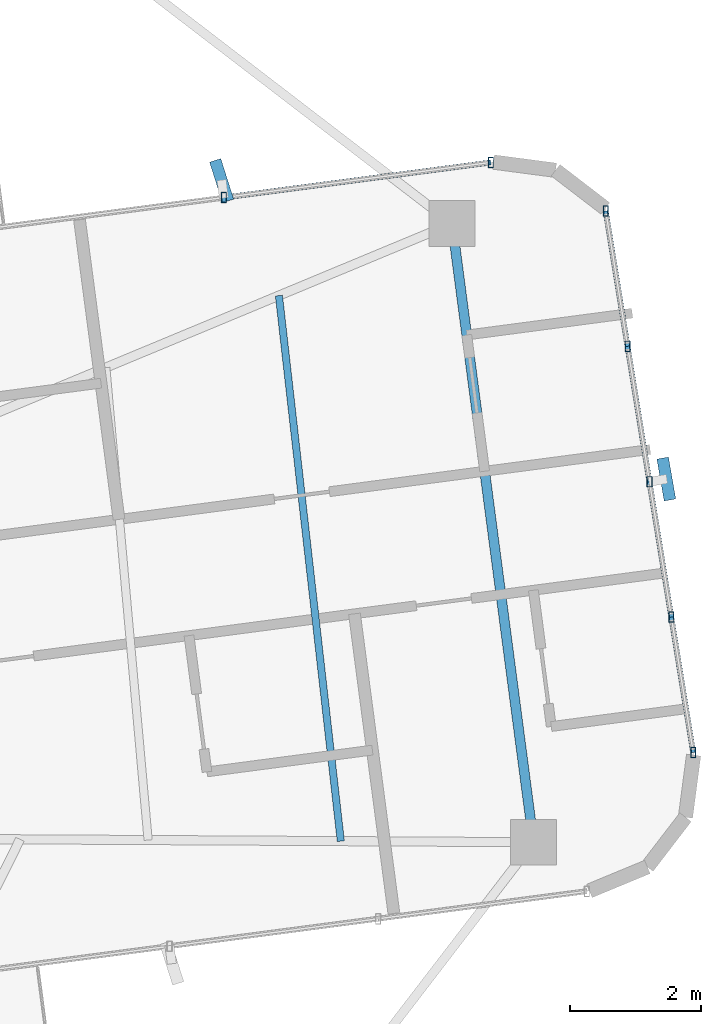
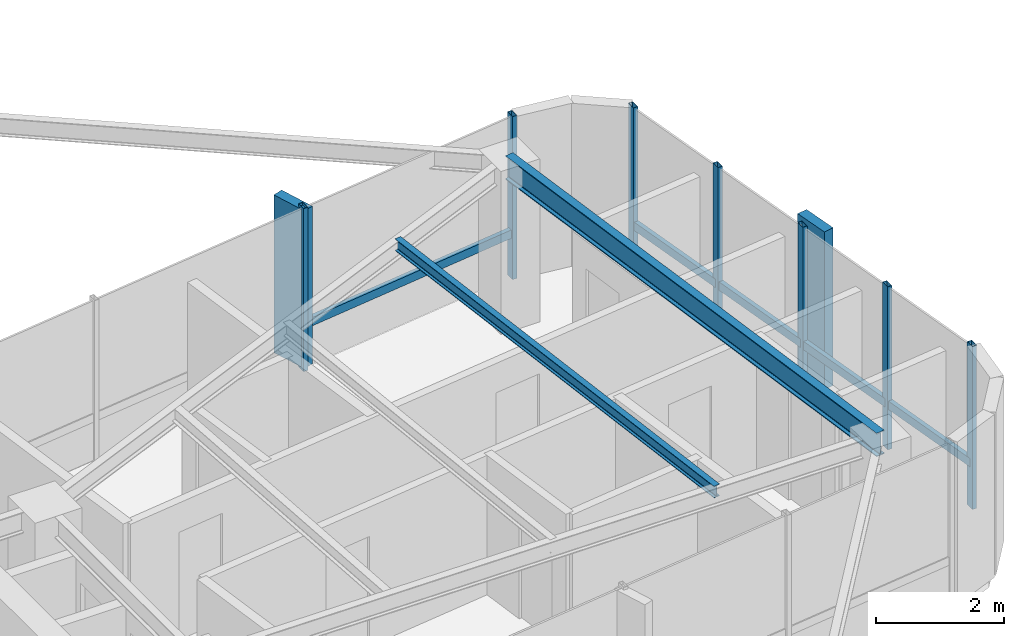
# One storey, part 13 of 22: 14 members, 2 beams, 2 elements without a shape of their own.
"""IFC4 building model written with IfcOpenShell, lengths in metres."""

from ifc_helpers import new_model, si_unit, direction, frame, origin, origin_2d, place, context, subcontext, project, spatial, rectangle, hollow_rectangle, i_section, extrude, source, transform, mapped, material, material_profile, profile_set, type_object, element, aggregate, save


model = new_model("IFC4")

# Units and contexts
model_context = context("Model", 3, precision=1e-05, world=origin(), true_north=direction((0.0, 1.0)))
body_context = subcontext(model_context, "Body", "Model", "MODEL_VIEW")
ifc_project = project(units=[si_unit("LENGTHUNIT", "METRE"), si_unit("AREAUNIT", "SQUARE_METRE"), si_unit("VOLUMEUNIT", "CUBIC_METRE"), si_unit("PLANEANGLEUNIT", "RADIAN"), si_unit("MASSUNIT", "GRAM", prefix="KILO")], contexts=[model_context])

# Site, building, storey
site_placement = place(None, origin())
site = spatial("IfcSite", under=ifc_project, at=site_placement, CompositionType="ELEMENT")
building_placement = place(site_placement, origin())
building = spatial("IfcBuilding", under=site, at=building_placement, Name="Sahyath Konkavel Grand Hotel", CompositionType="ELEMENT")
storey_placement = place(building_placement, frame((0.0, 0.0, 244.5)))
storey = spatial("IfcBuildingStorey", under=building, at=storey_placement, Name="L68", CompositionType="ELEMENT", Elevation=244.5)

# Beams
ifc_material_1 = material(Name="Steel E350", Category="steel")
ifc_material_profile_1 = material_profile(ifc_material_1, i_section(OverallWidth=0.14990234375, OverallDepth=0.449951171875, WebThickness=0.009521484375, FlangeThickness=0.017333984375, FilletRadius=0.014892578125, at=origin_2d()), Name="ISMB 450")
ifc_profile_set_1 = profile_set([ifc_material_profile_1], Name="Steel E350")
beam_type_1 = type_object("IfcBeamType", Name="BM-ISMB450", PredefinedType="BEAM", material=ifc_profile_set_1)
shared_shape_1 = source(origin(), body_context, "Body", "SweptSolid", [
    extrude(i_section(OverallWidth=0.14990234375, OverallDepth=0.449951171875, WebThickness=0.009521484375, FlangeThickness=0.017333984375, FilletRadius=0.014892578125, at=origin_2d()), origin(), (0.0, 0.0, 1.0), 9.533935546875),
])
beam_1_placement = place(storey_placement, frame((17.767333984375, -2.468994140625, 2.885009765625), z_axis=(-0.130546587129, 0.99144217612, 0.0), x_axis=(-0.99144217612, -0.130546587129, 0.0)))
element("IfcBeam", 1, at=beam_1_placement, inside=storey, type_object=beam_type_1, Name="L68 Wing Tip Edge Beam E", PredefinedType="BEAM", context=body_context, shape_type="MappedRepresentation", body=[
    mapped(shared_shape_1, transform((0.0, 0.0, 0.0), scale=1.0)),
])
ifc_material_profile_2 = material_profile(ifc_material_1, i_section(OverallWidth=0.110107421875, OverallDepth=0.22509765625, WebThickness=0.006591796875, FlangeThickness=0.01171875, FilletRadius=0.011962890625, at=origin_2d()), Name="ISMB 225")
ifc_profile_set_2 = profile_set([ifc_material_profile_2], Name="Steel E350")
beam_type_2 = type_object("IfcBeamType", Name="BM-ISMB225", PredefinedType="BEAM", material=ifc_profile_set_2)
shared_shape_2 = source(origin(), body_context, "Body", "SweptSolid", [
    extrude(i_section(OverallWidth=0.110107421875, OverallDepth=0.22509765625, WebThickness=0.006591796875, FlangeThickness=0.01171875, FilletRadius=0.011962890625, at=origin_2d()), origin(), (0.0, 0.0, 1.0), 8.38916015625),
])
beam_2_placement = place(storey_placement, frame((14.822998046875, -2.452392578125, 2.99755859375), z_axis=(-0.112740566225, 0.9936244586, 0.0), x_axis=(-0.9936244586, -0.112740566225, 0.0)))
element("IfcBeam", 2, at=beam_2_placement, inside=storey, type_object=beam_type_2, Name="L68 Secondary Floor Beam E-3", PredefinedType="BEAM", context=body_context, shape_type="MappedRepresentation", body=[
    mapped(shared_shape_2, transform((0.0, 0.0, 0.0), scale=1.0)),
])

# Curtain wall, member
ifc_material_2 = material(Name="Anodised Bronze Aluminium & Low-E Glazing", Category="aluminium")
curtain_wall_type = type_object("IfcCurtainWallType", Name="CW-ZONE4", PredefinedType="NOTDEFINED", material=ifc_material_2)
curtain_wall_1_placement = place(storey_placement, origin())
curtain_wall_1 = element("IfcCurtainWall", 3, at=curtain_wall_1_placement, inside=storey, type_object=curtain_wall_type, Name="L68 Unitised Curtain Wall F4", PredefinedType="NOTDEFINED")
ifc_material_3 = material(Name="Warm Buff Sandstone Cladding on Concrete C50/60", Category="masonry")
ifc_material_profile_3 = material_profile(ifc_material_3, rectangle(XDim=0.179931640625, YDim=0.64990234375, at=origin_2d()), Name="FIN 180x650")
ifc_profile_set_3 = profile_set([ifc_material_profile_3], Name="Warm Buff Sandstone Cladding on Concrete C50/60")
member_type_1 = type_object("IfcMemberType", Name="FIN-SANDSTONE-650", PredefinedType="MULLION", material=ifc_profile_set_3)
shared_shape_3 = source(origin(), body_context, "Body", "SweptSolid", [
    extrude(rectangle(XDim=0.179931640625, YDim=0.64990234375, at=origin_2d()), origin(), (0.0, 0.0, 1.0), 3.010009765625),
])
member_1_placement = place(storey_placement, frame((19.79638671875, 3.080322265625, 0.050048828125), z_axis=(0.0, 0.0, 1.0), x_axis=(0.985169280715, 0.171585221787, 0.0)))
member_1 = element("IfcMember", 4, at=member_1_placement, type_object=member_type_1, Name="L68 Sandstone Vertical Solar Fin FIN F4-2", PredefinedType="MULLION", context=body_context, shape_type="MappedRepresentation", body=[
    mapped(shared_shape_3, transform((0.0, 0.0, 0.0), scale=1.0)),
])

curtain_wall_2_placement = place(storey_placement, origin())
curtain_wall_2 = element("IfcCurtainWall", 5, at=curtain_wall_2_placement, inside=storey, type_object=curtain_wall_type, Name="L68 Unitised Curtain Wall F7", PredefinedType="NOTDEFINED")
member_2_placement = place(storey_placement, frame((13.001708984375, 7.639404296875, 0.050048828125), z_axis=(0.0, 0.0, 1.0), x_axis=(0.953032216634, 0.302868938746, 0.0)))
member_2 = element("IfcMember", 6, at=member_2_placement, type_object=member_type_1, Name="L68 Sandstone Vertical Solar Fin FIN F7-1", PredefinedType="MULLION", context=body_context, shape_type="MappedRepresentation", body=[
    mapped(shared_shape_3, transform((0.0, 0.0, 0.0), scale=1.0)),
])

# Member
ifc_material_4 = material(Name="Anodised Bronze Aluminium", Category="aluminium")
ifc_material_profile_4 = material_profile(ifc_material_4, hollow_rectangle(XDim=0.080078125, YDim=0.159912109375, WallThickness=0.006103515625, at=origin_2d()), Name="RHS 160x80x6")
ifc_profile_set_4 = profile_set([ifc_material_profile_4], Name="Anodised Bronze Aluminium")
member_type_2 = type_object("IfcMemberType", Name="CW-MUL-160", PredefinedType="MULLION", material=ifc_profile_set_4)
shared_shape_4 = source(origin(), body_context, "Body", "SweptSolid", [
    extrude(hollow_rectangle(XDim=0.080078125, YDim=0.159912109375, WallThickness=0.006103515625, at=origin_2d()), origin(), (0.0, 0.0, 1.0), 3.110107421875),
])
member_3_placement = place(storey_placement, frame((20.2080078125, -1.0986328125, 0.0), z_axis=(0.0, 0.0, 1.0), x_axis=(1.0, 0.0, 0.0)))
member_3 = element("IfcMember", 7, at=member_3_placement, type_object=member_type_2, Name="L68 Curtain Wall Mullion F4-0", PredefinedType="MULLION", context=body_context, shape_type="MappedRepresentation", body=[
    mapped(shared_shape_4, transform((0.0, 0.0, 0.0), scale=1.0)),
])

member_4_placement = place(storey_placement, frame((19.873779296875, 0.97021484375, 0.0), z_axis=(0.0, 0.0, 1.0), x_axis=(1.0, 0.0, 0.0)))
member_4 = element("IfcMember", 8, at=member_4_placement, type_object=member_type_2, Name="L68 Curtain Wall Mullion F4-1", PredefinedType="MULLION", context=body_context, shape_type="MappedRepresentation", body=[
    mapped(shared_shape_4, transform((0.0, 0.0, 0.0), scale=1.0)),
])

member_5_placement = place(storey_placement, frame((19.53955078125, 3.038818359375, 0.0), z_axis=(0.0, 0.0, 1.0), x_axis=(1.0, 0.0, 0.0)))
member_5 = element("IfcMember", 9, at=member_5_placement, type_object=member_type_2, Name="L68 Curtain Wall Mullion F4-2", PredefinedType="MULLION", context=body_context, shape_type="MappedRepresentation", body=[
    mapped(shared_shape_4, transform((0.0, 0.0, 0.0), scale=1.0)),
])

member_6_placement = place(storey_placement, frame((19.205322265625, 5.10791015625, 0.0), z_axis=(0.0, 0.0, 1.0), x_axis=(1.0, 0.0, 0.0)))
member_6 = element("IfcMember", 10, at=member_6_placement, type_object=member_type_2, Name="L68 Curtain Wall Mullion F4-3", PredefinedType="MULLION", context=body_context, shape_type="MappedRepresentation", body=[
    mapped(shared_shape_4, transform((0.0, 0.0, 0.0), scale=1.0)),
])

member_7_placement = place(storey_placement, frame((18.87109375, 7.176513671875, 0.0), z_axis=(0.0, 0.0, 1.0), x_axis=(1.0, 0.0, 0.0)))
member_7 = element("IfcMember", 11, at=member_7_placement, type_object=member_type_2, Name="L68 Curtain Wall Mullion F4-4", PredefinedType="MULLION", context=body_context, shape_type="MappedRepresentation", body=[
    mapped(shared_shape_4, transform((0.0, 0.0, 0.0), scale=1.0)),
])

member_8_placement = place(storey_placement, frame((17.11572265625, 7.918701171875, 0.0), z_axis=(0.0, 0.0, 1.0), x_axis=(1.0, 0.0, 0.0)))
member_8 = element("IfcMember", 12, at=member_8_placement, type_object=member_type_2, Name="L68 Curtain Wall Mullion F7-0", PredefinedType="MULLION", context=body_context, shape_type="MappedRepresentation", body=[
    mapped(shared_shape_4, transform((0.0, 0.0, 0.0), scale=1.0)),
])

member_9_placement = place(storey_placement, frame((13.03564453125, 7.381591796875, 0.0), z_axis=(0.0, 0.0, 1.0), x_axis=(1.0, 0.0, 0.0)))
member_9 = element("IfcMember", 13, at=member_9_placement, type_object=member_type_2, Name="L68 Curtain Wall Mullion F7-1", PredefinedType="MULLION", context=body_context, shape_type="MappedRepresentation", body=[
    mapped(shared_shape_4, transform((0.0, 0.0, 0.0), scale=1.0)),
])

ifc_material_profile_5 = material_profile(ifc_material_4, hollow_rectangle(XDim=0.080078125, YDim=0.159912109375, WallThickness=0.006103515625, at=origin_2d()), Name="RHS 160x80x6")
ifc_profile_set_5 = profile_set([ifc_material_profile_5], Name="Anodised Bronze Aluminium")
member_type_3 = type_object("IfcMemberType", Name="CW-TRN-160", PredefinedType="USERDEFINED", material=ifc_profile_set_5)
shared_shape_5 = source(origin(), body_context, "Body", "SweptSolid", [
    extrude(hollow_rectangle(XDim=0.080078125, YDim=0.159912109375, WallThickness=0.006103515625, at=origin_2d()), origin(), (0.0, 0.0, 1.0), 2.095703125),
])
member_10_placement = place(storey_placement, frame((20.2080078125, -1.0986328125, 0.85009765625), z_axis=(-0.159485160059, 0.987200326034, 0.0), x_axis=(-0.987200326034, -0.159485160059, 0.0)))
member_10 = element("IfcMember", 14, at=member_10_placement, type_object=member_type_3, Name="L68 Curtain Wall Transom F4-0-spandrel", ObjectType="TRANSOM", PredefinedType="USERDEFINED", context=body_context, shape_type="MappedRepresentation", body=[
    mapped(shared_shape_5, transform((0.0, 0.0, 0.0), scale=1.0)),
])

shared_shape_6 = source(origin(), body_context, "Body", "SweptSolid", [
    extrude(hollow_rectangle(XDim=0.080078125, YDim=0.159912109375, WallThickness=0.006103515625, at=origin_2d()), origin(), (0.0, 0.0, 1.0), 2.095458984375),
])
member_11_placement = place(storey_placement, frame((19.873779296875, 0.97021484375, 0.85009765625), z_axis=(-0.15950350396, 0.987197362347, 0.0), x_axis=(-0.987197362347, -0.15950350396, 0.0)))
member_11 = element("IfcMember", 15, at=member_11_placement, type_object=member_type_3, Name="L68 Curtain Wall Transom F4-1-spandrel", ObjectType="TRANSOM", PredefinedType="USERDEFINED", context=body_context, shape_type="MappedRepresentation", body=[
    mapped(shared_shape_6, transform((0.0, 0.0, 0.0), scale=1.0)),
])

member_12_placement = place(storey_placement, frame((19.205322265625, 5.10791015625, 0.85009765625), z_axis=(-0.15950350396, 0.987197362347, 0.0), x_axis=(-0.987197362347, -0.15950350396, 0.0)))
member_12 = element("IfcMember", 16, at=member_12_placement, type_object=member_type_3, Name="L68 Curtain Wall Transom F4-3-spandrel", ObjectType="TRANSOM", PredefinedType="USERDEFINED", context=body_context, shape_type="MappedRepresentation", body=[
    mapped(shared_shape_6, transform((0.0, 0.0, 0.0), scale=1.0)),
])

shared_shape_7 = source(origin(), body_context, "Body", "SweptSolid", [
    extrude(hollow_rectangle(XDim=0.080078125, YDim=0.159912109375, WallThickness=0.006103515625, at=origin_2d()), origin(), (0.0, 0.0, 1.0), 2.095947265625),
])
member_13_placement = place(storey_placement, frame((19.53955078125, 3.038818359375, 0.85009765625), z_axis=(-0.159466820322, 0.987203288698, 0.0), x_axis=(-0.987203288698, -0.159466820322, 0.0)))
member_13 = element("IfcMember", 17, at=member_13_placement, type_object=member_type_3, Name="L68 Curtain Wall Transom F4-2-spandrel", ObjectType="TRANSOM", PredefinedType="USERDEFINED", context=body_context, shape_type="MappedRepresentation", body=[
    mapped(shared_shape_7, transform((0.0, 0.0, 0.0), scale=1.0)),
])

aggregate(curtain_wall_1, [member_3, member_4, member_5, member_1, member_6, member_7, member_10, member_11, member_13, member_12])

shared_shape_8 = source(origin(), body_context, "Body", "SweptSolid", [
    extrude(hollow_rectangle(XDim=0.080078125, YDim=0.159912109375, WallThickness=0.006103515625, at=origin_2d()), origin(), (0.0, 0.0, 1.0), 4.115234375),
])
member_14_placement = place(storey_placement, frame((17.11572265625, 7.918701171875, 0.85009765625), z_axis=(-0.991446216664, -0.130515897359, 0.0), x_axis=(0.130515897359, -0.991446216664, 0.0)))
member_14 = element("IfcMember", 18, at=member_14_placement, type_object=member_type_3, Name="L68 Curtain Wall Transom F7-0-spandrel", ObjectType="TRANSOM", PredefinedType="USERDEFINED", context=body_context, shape_type="MappedRepresentation", body=[
    mapped(shared_shape_8, transform((0.0, 0.0, 0.0), scale=1.0)),
])

aggregate(curtain_wall_2, [member_8, member_9, member_2, member_14])

save(model, "model.ifc")
